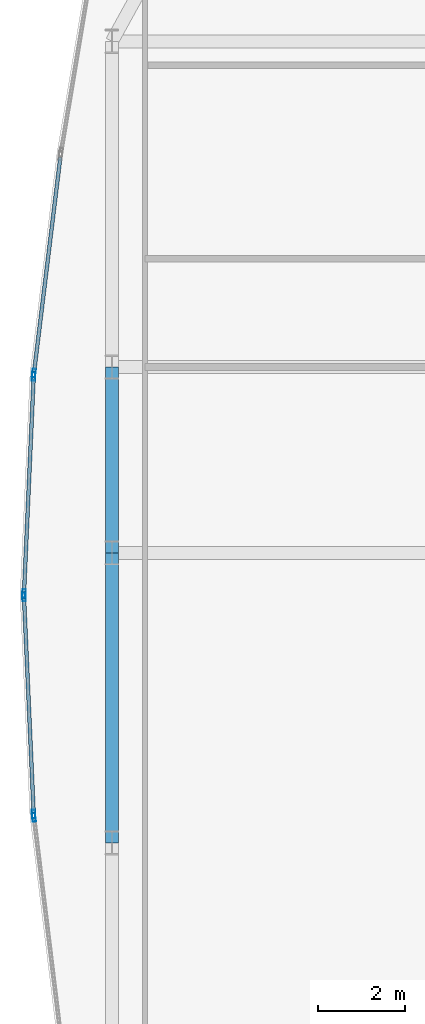
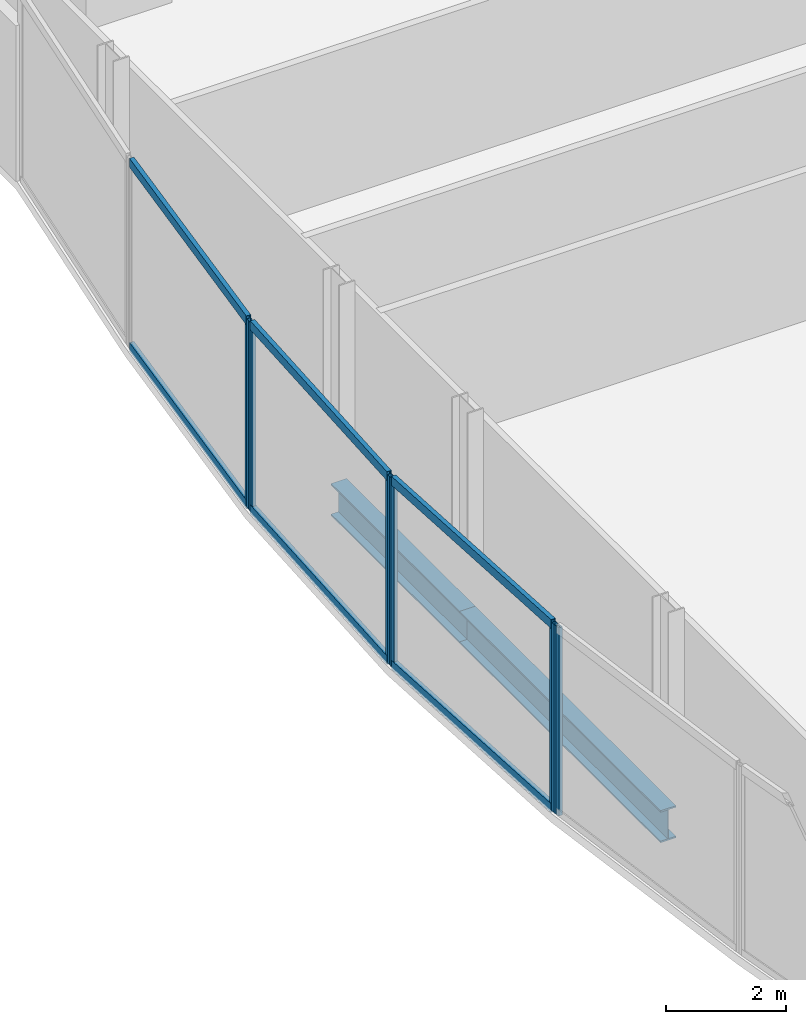
# One storey, part 10 of 32: 12 members, 2 beams, 4 elements without a shape of their own.
"""IFC4 building model written with IfcOpenShell, lengths in metres."""

from ifc_helpers import new_model, si_unit, direction, frame, origin, origin_2d, place, context, subcontext, project, spatial, hollow_rectangle, i_section, extrude, material, material_profile, profile_set, type_object, element, aggregate, save


model = new_model("IFC4")

# Units and contexts
model_context = context("Model", 3, precision=1e-05, world=origin(), true_north=direction((0.0, 1.0)))
body_context = subcontext(model_context, "Body", "Model", "MODEL_VIEW")
ifc_project = project(units=[si_unit("LENGTHUNIT", "METRE"), si_unit("AREAUNIT", "SQUARE_METRE"), si_unit("VOLUMEUNIT", "CUBIC_METRE"), si_unit("PLANEANGLEUNIT", "RADIAN"), si_unit("MASSUNIT", "GRAM", prefix="KILO")], contexts=[model_context])

# Site, building, storey
site_placement = place(None, origin())
site = spatial("IfcSite", under=ifc_project, at=site_placement, CompositionType="ELEMENT")
building_placement = place(site_placement, origin())
building = spatial("IfcBuilding", under=site, at=building_placement, Name="Khoronbel Lancet Exchange", CompositionType="ELEMENT")
storey_placement = place(building_placement, frame((0.0, 0.0, 41.800048828125)))
storey = spatial("IfcBuildingStorey", under=building, at=storey_placement, Name="L09", CompositionType="ELEMENT", Elevation=41.800048828125)

# Beams
ifc_material_1 = material(Name="Steel S355", Category="steel")
ifc_material_profile_1 = material_profile(ifc_material_1, i_section(OverallWidth=0.300048828125, OverallDepth=0.64990234375, WebThickness=0.01611328125, FlangeThickness=0.031005859375, at=origin_2d()), Name="HEB 650")
ifc_profile_set_1 = profile_set([ifc_material_profile_1], Name="Steel S355")
beam_type = type_object("IfcBeamType", Name="BM-BSP1", PredefinedType="SPANDREL", material=ifc_profile_set_1)
beam_1_placement = place(storey_placement, frame((1.27001953125, 35.699951171875, -0.505126953125), z_axis=(0.0, -1.0, 0.0), x_axis=(1.0, 0.0, 0.0)))
element("IfcBeam", 1, at=beam_1_placement, inside=storey, type_object=beam_type, Name="Level L09 perimeter spandrel beam SP18", PredefinedType="SPANDREL", context=body_context, shape_type="SweptSolid", body=[
    extrude(i_section(OverallWidth=0.300048828125, OverallDepth=0.64990234375, WebThickness=0.01611328125, FlangeThickness=0.031005859375, at=origin_2d()), origin(), (0.0, 0.0, 1.0), 4.27490234375),
])
beam_2_placement = place(storey_placement, frame((1.27001953125, 31.425048828125, -0.505126953125), z_axis=(0.0, -1.0, 0.0), x_axis=(1.0, 0.0, 0.0)))
element("IfcBeam", 2, at=beam_2_placement, inside=storey, type_object=beam_type, Name="Level L09 perimeter spandrel beam SP19", PredefinedType="SPANDREL", context=body_context, shape_type="SweptSolid", body=[
    extrude(i_section(OverallWidth=0.300048828125, OverallDepth=0.64990234375, WebThickness=0.01611328125, FlangeThickness=0.031005859375, at=origin_2d()), origin(), (0.0, 0.0, 1.0), 6.675048828125),
])

# Curtain wall, member
ifc_material_2 = material(Name="Low-E Solar Control Insulating Glass", Category="glass")
curtain_wall_type = type_object("IfcCurtainWallType", Name="CW-4", PredefinedType="NOTDEFINED", material=ifc_material_2)
curtain_wall_1_placement = place(storey_placement, origin())
curtain_wall_1 = element("IfcCurtainWall", 3, at=curtain_wall_1_placement, inside=storey, type_object=curtain_wall_type, Name="Unitised curtain wall CW-L09-E05", PredefinedType="NOTDEFINED")
ifc_material_3 = material(Name="Bronze-Anodised Aluminium 6063-T6", Category="aluminium")
ifc_material_profile_2 = material_profile(ifc_material_3, hollow_rectangle(XDim=0.074951171875, YDim=0.199951171875, WallThickness=0.0048828125, at=origin_2d()), Name="ALU MULLION 75x200")
ifc_profile_set_2 = profile_set([ifc_material_profile_2], Name="Bronze-Anodised Aluminium 6063-T6")
member_type_1 = type_object("IfcMemberType", Name="MEM-CWM2", PredefinedType="MULLION", material=ifc_profile_set_2)
member_1_placement = place(storey_placement, frame((-0.52490234375, 25.3369140625, 0.0), z_axis=(0.0, 0.0, 1.0), x_axis=(-0.992621623813, -0.121253090432, 0.0)))
member_1 = element("IfcMember", 4, at=member_1_placement, type_object=member_type_1, Name="CW4 mullion 2", PredefinedType="MULLION", context=body_context, shape_type="SweptSolid", body=[
    extrude(hollow_rectangle(XDim=0.074951171875, YDim=0.199951171875, WallThickness=0.0048828125, at=origin_2d()), origin(), (0.0, 0.0, 1.0), 3.820068359375),
])
aggregate(curtain_wall_1, [member_1])

# Curtain wall, members
curtain_wall_2_placement = place(storey_placement, origin())
curtain_wall_2 = element("IfcCurtainWall", 5, at=curtain_wall_2_placement, inside=storey, type_object=curtain_wall_type, Name="Unitised curtain wall CW-L09-E06", PredefinedType="NOTDEFINED")
member_2_placement = place(storey_placement, frame((-0.53125, 25.41162109375, 0.0), z_axis=(0.0, 0.0, 1.0), x_axis=(-0.999001468312, -0.044677357922, 0.0)))
member_2 = element("IfcMember", 6, at=member_2_placement, type_object=member_type_1, Name="CW4 mullion 1", PredefinedType="MULLION", context=body_context, shape_type="SweptSolid", body=[
    extrude(hollow_rectangle(XDim=0.074951171875, YDim=0.199951171875, WallThickness=0.0048828125, at=origin_2d()), origin(), (0.0, 0.0, 1.0), 3.820068359375),
])
member_3_placement = place(storey_placement, frame((-0.7548828125, 30.41259765625, 0.0), z_axis=(0.0, 0.0, 1.0), x_axis=(-0.999001468312, -0.044677357922, 0.0)))
member_3 = element("IfcMember", 7, at=member_3_placement, type_object=member_type_1, Name="CW4 mullion 2", PredefinedType="MULLION", context=body_context, shape_type="SweptSolid", body=[
    extrude(hollow_rectangle(XDim=0.074951171875, YDim=0.199951171875, WallThickness=0.0048828125, at=origin_2d()), origin(), (0.0, 0.0, 1.0), 3.820068359375),
])

curtain_wall_3_placement = place(storey_placement, origin())
curtain_wall_3 = element("IfcCurtainWall", 8, at=curtain_wall_3_placement, inside=storey, type_object=curtain_wall_type, Name="Unitised curtain wall CW-L09-E07", PredefinedType="NOTDEFINED")
member_4_placement = place(storey_placement, frame((-0.7548828125, 30.487548828125, 0.0), z_axis=(0.0, 0.0, 1.0), x_axis=(-0.999001468312, 0.044677357922, 0.0)))
member_4 = element("IfcMember", 9, at=member_4_placement, type_object=member_type_1, Name="CW4 mullion 1", PredefinedType="MULLION", context=body_context, shape_type="SweptSolid", body=[
    extrude(hollow_rectangle(XDim=0.074951171875, YDim=0.199951171875, WallThickness=0.0048828125, at=origin_2d()), origin(), (0.0, 0.0, 1.0), 3.820068359375),
])
member_5_placement = place(storey_placement, frame((-0.53125, 35.48828125, 0.0), z_axis=(0.0, 0.0, 1.0), x_axis=(-0.999001468312, 0.044677357922, 0.0)))
member_5 = element("IfcMember", 10, at=member_5_placement, type_object=member_type_1, Name="CW4 mullion 2", PredefinedType="MULLION", context=body_context, shape_type="SweptSolid", body=[
    extrude(hollow_rectangle(XDim=0.074951171875, YDim=0.199951171875, WallThickness=0.0048828125, at=origin_2d()), origin(), (0.0, 0.0, 1.0), 3.820068359375),
])

# Curtain wall, member
curtain_wall_4_placement = place(storey_placement, origin())
curtain_wall_4 = element("IfcCurtainWall", 11, at=curtain_wall_4_placement, inside=storey, type_object=curtain_wall_type, Name="Unitised curtain wall CW-L09-E08", PredefinedType="NOTDEFINED")
member_6_placement = place(storey_placement, frame((-0.52490234375, 35.56298828125, 0.0), z_axis=(0.0, 0.0, 1.0), x_axis=(-0.992621623813, 0.121253090432, 0.0)))
member_6 = element("IfcMember", 12, at=member_6_placement, type_object=member_type_1, Name="CW4 mullion 1", PredefinedType="MULLION", context=body_context, shape_type="SweptSolid", body=[
    extrude(hollow_rectangle(XDim=0.074951171875, YDim=0.199951171875, WallThickness=0.0048828125, at=origin_2d()), origin(), (0.0, 0.0, 1.0), 3.820068359375),
])

# Member
ifc_material_profile_3 = material_profile(ifc_material_3, hollow_rectangle(XDim=0.0849609375, YDim=0.179931640625, WallThickness=0.0048828125, at=origin_2d()), Name="ALU TRANSOM 85x180")
ifc_profile_set_3 = profile_set([ifc_material_profile_3], Name="Bronze-Anodised Aluminium 6063-T6")
member_type_2 = type_object("IfcMemberType", Name="MEM-CWT1", PredefinedType="USERDEFINED", material=ifc_profile_set_3)
member_7_placement = place(storey_placement, frame((-0.532958984375, 25.44921875, 0.04248046875), z_axis=(-0.044661971896, 0.999002156287, 0.0), x_axis=(-0.999002156287, -0.044661971896, 0.0)))
member_7 = element("IfcMember", 13, at=member_7_placement, type_object=member_type_2, Name="CW4 transom 1.1", ObjectType="TRANSOM", PredefinedType="USERDEFINED", context=body_context, shape_type="SweptSolid", body=[
    extrude(hollow_rectangle(XDim=0.0849609375, YDim=0.179931640625, WallThickness=0.0048828125, at=origin_2d()), origin(), (0.0, 0.0, 1.0), 4.9306640625),
])

member_8_placement = place(storey_placement, frame((-0.532958984375, 25.44921875, 3.77734375), z_axis=(-0.044661971896, 0.999002156287, 0.0), x_axis=(-0.999002156287, -0.044661971896, 0.0)))
member_8 = element("IfcMember", 14, at=member_8_placement, type_object=member_type_2, Name="CW4 transom 1.2", ObjectType="TRANSOM", PredefinedType="USERDEFINED", context=body_context, shape_type="SweptSolid", body=[
    extrude(hollow_rectangle(XDim=0.0849609375, YDim=0.179931640625, WallThickness=0.0048828125, at=origin_2d()), origin(), (0.0, 0.0, 1.0), 4.9306640625),
])

aggregate(curtain_wall_2, [member_2, member_3, member_7, member_8])

member_9_placement = place(storey_placement, frame((-0.753173828125, 30.52490234375, 0.04248046875), z_axis=(0.044659762802, 0.999002255046, 0.0), x_axis=(-0.999002255046, 0.044659762802, 0.0)))
member_9 = element("IfcMember", 15, at=member_9_placement, type_object=member_type_2, Name="CW4 transom 1.1", ObjectType="TRANSOM", PredefinedType="USERDEFINED", context=body_context, shape_type="SweptSolid", body=[
    extrude(hollow_rectangle(XDim=0.0849609375, YDim=0.179931640625, WallThickness=0.0048828125, at=origin_2d()), origin(), (0.0, 0.0, 1.0), 4.930908203125),
])

member_10_placement = place(storey_placement, frame((-0.753173828125, 30.52490234375, 3.77734375), z_axis=(0.044659762802, 0.999002255046, 0.0), x_axis=(-0.999002255046, 0.044659762802, 0.0)))
member_10 = element("IfcMember", 16, at=member_10_placement, type_object=member_type_2, Name="CW4 transom 1.2", ObjectType="TRANSOM", PredefinedType="USERDEFINED", context=body_context, shape_type="SweptSolid", body=[
    extrude(hollow_rectangle(XDim=0.0849609375, YDim=0.179931640625, WallThickness=0.0048828125, at=origin_2d()), origin(), (0.0, 0.0, 1.0), 4.930908203125),
])

aggregate(curtain_wall_3, [member_4, member_5, member_9, member_10])

member_11_placement = place(storey_placement, frame((-0.5205078125, 35.600341796875, 0.04248046875), z_axis=(0.121293055635, 0.992616741071, 0.0), x_axis=(-0.992616741071, 0.121293055635, 0.0)))
member_11 = element("IfcMember", 17, at=member_11_placement, type_object=member_type_2, Name="CW4 transom 1.1", ObjectType="TRANSOM", PredefinedType="USERDEFINED", context=body_context, shape_type="SweptSolid", body=[
    extrude(hollow_rectangle(XDim=0.0849609375, YDim=0.179931640625, WallThickness=0.0048828125, at=origin_2d()), origin(), (0.0, 0.0, 1.0), 4.965576171875),
])

member_12_placement = place(storey_placement, frame((-0.5205078125, 35.600341796875, 3.77734375), z_axis=(0.121293055635, 0.992616741071, 0.0), x_axis=(-0.992616741071, 0.121293055635, 0.0)))
member_12 = element("IfcMember", 18, at=member_12_placement, type_object=member_type_2, Name="CW4 transom 1.2", ObjectType="TRANSOM", PredefinedType="USERDEFINED", context=body_context, shape_type="SweptSolid", body=[
    extrude(hollow_rectangle(XDim=0.0849609375, YDim=0.179931640625, WallThickness=0.0048828125, at=origin_2d()), origin(), (0.0, 0.0, 1.0), 4.965576171875),
])

aggregate(curtain_wall_4, [member_6, member_11, member_12])

save(model, "model.ifc")
